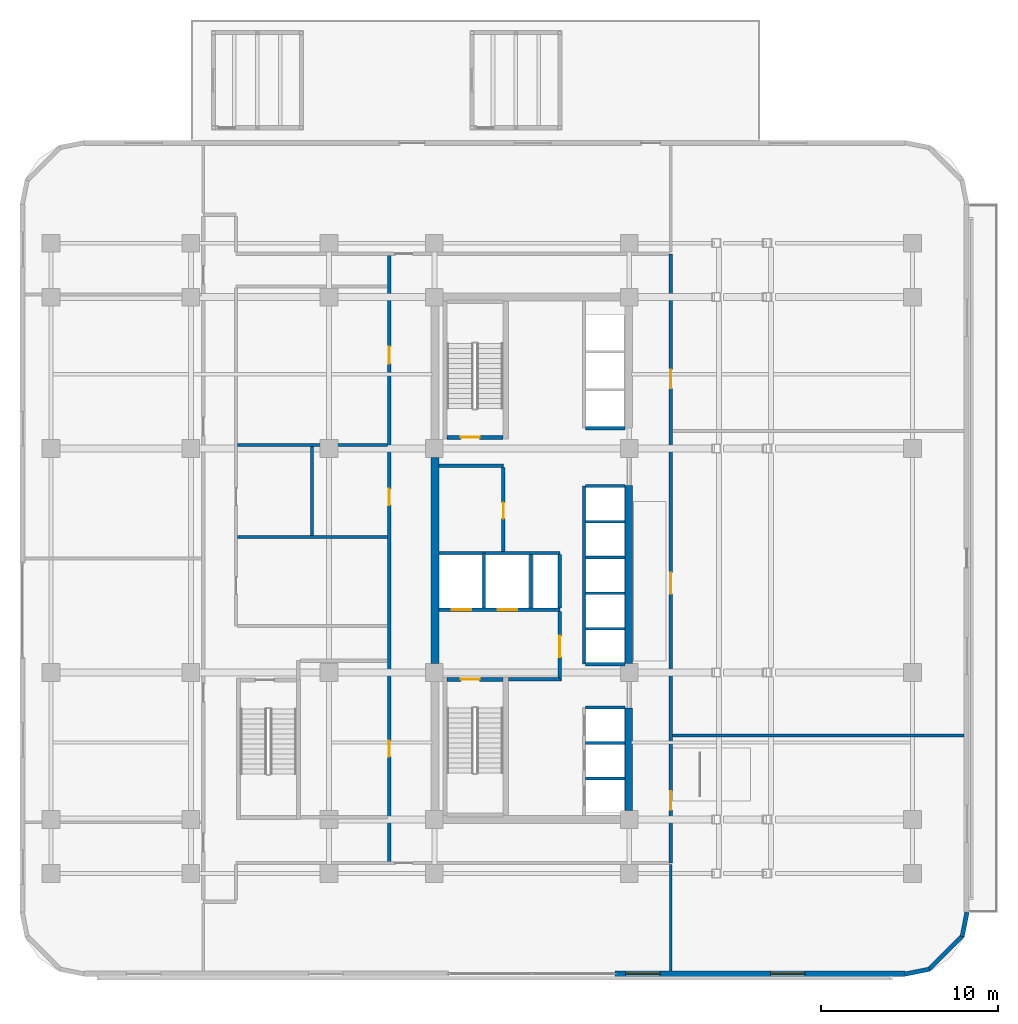
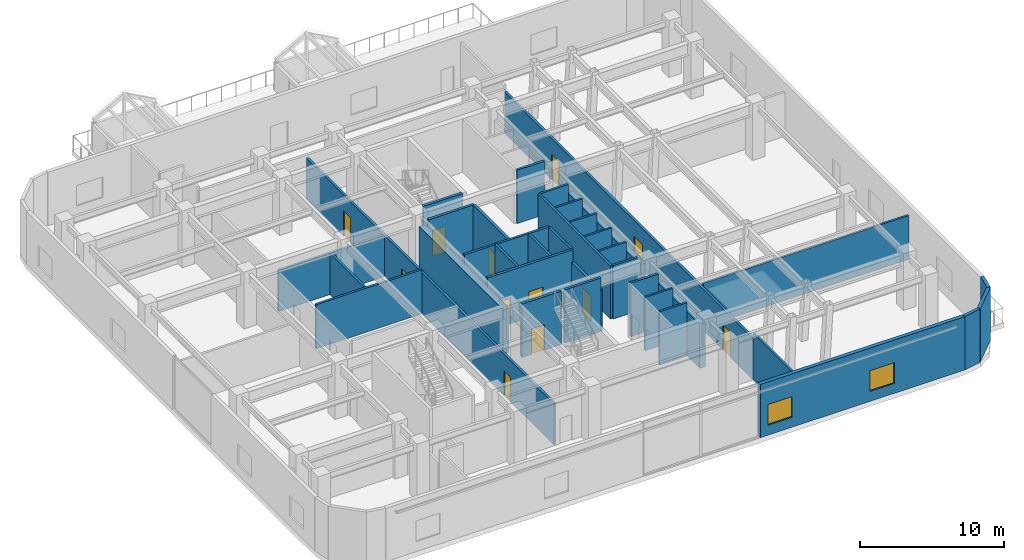
# One storey, part 9 of 18: 36 walls, 12 doors, 2 windows, 14 openings.
"""IFC4 building model written with IfcOpenShell, lengths in metres."""

import ifcopenshell
import ifcopenshell.guid

model = None  # the IFC model being written
_history = None  # IfcOwnerHistory: only IFC2X3 demands one
_inside = {}  # id of a spatial element -> (the spatial element, [elements in it])
_under = {}  # id of a project, library or spatial element -> (it, [spatial elements below it])
_declared = {}  # id of a project -> (the project, [libraries it declares])
_typed = {}  # id of a type object -> (the type object, [elements of that type])
_made_of = {}  # id of a material, layer set ... -> (it, [elements and type objects made of it])


def new_model(schema):
    """Start an empty IFC model of exactly this schema.

    Asked for "IFC4X3", IfcOpenShell would pick the latest addendum, in which some entities
    have other attributes; the version numbers below select the first issue.
    IFC2X3 requires an IfcOwnerHistory on every rooted entity: one is made here for all.
    """
    global model, _history
    if schema == "IFC4X3":
        model = ifcopenshell.file(schema_version=(4, 3, 0, 0))
    else:
        model = ifcopenshell.file(schema=schema)
    _inside.clear()
    _under.clear()
    _declared.clear()
    _typed.clear()
    _made_of.clear()
    _history = None
    if model.schema == "IFC2X3":
        org = make("IfcOrganization", Name="unknown")
        user = make(
            "IfcPersonAndOrganization",
            ThePerson=make("IfcPerson", FamilyName="unknown"),
            TheOrganization=org,
        )
        app = make(
            "IfcApplication",
            ApplicationDeveloper=org,
            Version="unknown",
            ApplicationFullName="unknown",
            ApplicationIdentifier="unknown",
        )
        _history = make(
            "IfcOwnerHistory",
            OwningUser=user,
            OwningApplication=app,
            ChangeAction="ADDED",
            CreationDate=0,
        )
    return model


def make(cls, **values):
    """One entity of the class cls with the attributes given. An attribute that is None is left unset."""
    return model.create_entity(
        cls, **{name: value for name, value in values.items() if value is not None}
    )


def rooted(cls, **values):
    """An entity with a GlobalId (a new one), such as an element, a storey or a relation."""
    return make(cls, GlobalId=ifcopenshell.guid.new(), OwnerHistory=_history, **values)


def si_unit(unit_type, name, prefix=None):
    """IfcSIUnit, for example si_unit("LENGTHUNIT", "METRE", prefix="MILLI")."""
    return make("IfcSIUnit", UnitType=unit_type, Prefix=prefix, Name=name)


def assignment(units):
    """IfcUnitAssignment: the units of a project."""
    return None if units is None else make("IfcUnitAssignment", Units=units)


def point(xyz):
    """IfcCartesianPoint."""
    return None if xyz is None else make("IfcCartesianPoint", Coordinates=xyz)


def direction(xyz):
    """IfcDirection."""
    return None if xyz is None else make("IfcDirection", DirectionRatios=xyz)


def frame(location, z_axis=None, x_axis=None):
    """IfcAxis2Placement3D, a coordinate frame: its origin and axes. An axis left out is left unset."""
    return make(
        "IfcAxis2Placement3D",
        Location=point(location),
        Axis=direction(z_axis),
        RefDirection=direction(x_axis),
    )


def frame_2d(location, x_axis=None):
    """IfcAxis2Placement2D, a coordinate frame in the plane: its origin and x axis."""
    return make(
        "IfcAxis2Placement2D", Location=point(location), RefDirection=direction(x_axis)
    )


def origin():
    """The frame at (0, 0, 0) with its axes left unset."""
    return frame((0.0, 0.0, 0.0))


def place(relative_to, where):
    """IfcLocalPlacement: puts the frame where relative to a parent placement (None: the world)."""
    return make(
        "IfcLocalPlacement", PlacementRelTo=relative_to, RelativePlacement=where
    )


def context(
    kind, dimensions, precision=None, world=None, true_north=None, identifier=None
):
    """IfcGeometricRepresentationContext, for example the 3D "Model" context."""
    return make(
        "IfcGeometricRepresentationContext",
        ContextIdentifier=identifier,
        ContextType=kind,
        CoordinateSpaceDimension=dimensions,
        Precision=precision,
        WorldCoordinateSystem=world,
        TrueNorth=true_north,
    )


def subcontext(parent, identifier, kind, view, scale=None):
    """IfcGeometricRepresentationSubContext, for example "Body" below "Model"."""
    return make(
        "IfcGeometricRepresentationSubContext",
        ContextIdentifier=identifier,
        ContextType=kind,
        ParentContext=parent,
        TargetScale=scale,
        TargetView=view,
    )


def project(units=None, contexts=None):
    """IfcProject with its units and contexts."""
    return rooted(
        "IfcProject",
        Name="project",
        RepresentationContexts=contexts,
        UnitsInContext=assignment(units),
    )


def spatial(cls, under=None, at=None, **own):
    """A site, building, storey or space (cls), placed at a placement, below another one or the project."""
    s = rooted(cls, ObjectPlacement=at, **own)
    if under is not None:
        _under.setdefault(under.id(), (under, []))[1].append(s)
    return s


def profile(cls, at=None, kind="AREA", **sizes):
    """A parametric profile (cls). Its sizes go by their IFC names, for example OverallWidth=200.0."""
    return make(cls, ProfileType=kind, Position=at, **sizes)


def rectangle(**sizes):
    """IfcRectangleProfileDef."""
    return profile("IfcRectangleProfileDef", **sizes)


def extrude(swept, where, along, depth):
    """IfcExtrudedAreaSolid: the profile swept, set in the frame where, extruded along a direction by depth."""
    return make(
        "IfcExtrudedAreaSolid",
        SweptArea=swept,
        Position=where,
        ExtrudedDirection=direction(along),
        Depth=depth,
    )


def shape(context_of_items, identifier, shape_type, items):
    """IfcShapeRepresentation: the items that make up one representation, for example the "Body"."""
    return make(
        "IfcShapeRepresentation",
        ContextOfItems=context_of_items,
        RepresentationIdentifier=identifier,
        RepresentationType=shape_type,
        Items=items,
    )


def material(Name=None, Category=None):
    """IfcMaterial."""
    return make("IfcMaterial", Name=Name, Category=Category)


def layer(
    of_material, thickness, ventilated=None, Name=None, Category=None, Priority=None
):
    """IfcMaterialLayer: one layer of a wall or slab, of a material (None: an air gap)."""
    return make(
        "IfcMaterialLayer",
        Material=of_material,
        LayerThickness=thickness,
        IsVentilated=ventilated,
        Name=Name,
        Category=Category,
        Priority=Priority,
    )


def layer_set(layers, Name=None):
    """IfcMaterialLayerSet."""
    return make("IfcMaterialLayerSet", MaterialLayers=layers, LayerSetName=Name)


def made_of(thing, what):
    """Note that an element or type object is made of a material, layer set ...; save() writes the relation."""
    if what is not None:
        _made_of.setdefault(what.id(), (what, []))[1].append(thing)
    return thing


def type_object(cls, material=None, **own):
    """A type object (cls), such as IfcWallType, which elements share."""
    return made_of(rooted(cls, **own), material)


def element(
    cls,
    number,
    at=None,
    inside=None,
    cuts=None,
    type_object=None,
    material=None,
    context=None,
    identifier="Body",
    shape_type=None,
    held_by="IfcProductDefinitionShape",
    body=None,
    shapes=None,
    **own,
):
    """One element of the class cls, such as IfcWall. Its Tag is "e" and its number.

    at: its placement. inside: the storey or other place that contains it. cuts: it is an
    opening in that element (IfcRelVoidsElement). A single representation is given by context,
    identifier, shape_type and body (its items); several are given by shapes. held_by: the class
    of the entity that holds the representations. save() writes the other relations.
    """
    e = rooted(cls, Tag="e%d" % number, ObjectPlacement=at, **own)
    if body is not None:
        shapes = [shape(context, identifier, shape_type, body)]
    if shapes is not None:
        e.Representation = make(held_by, Representations=shapes)
    if inside is not None:
        _inside.setdefault(inside.id(), (inside, []))[1].append(e)
    if cuts is not None:
        rooted(
            "IfcRelVoidsElement", RelatingBuildingElement=cuts, RelatedOpeningElement=e
        )
    if type_object is not None:
        _typed.setdefault(type_object.id(), (type_object, []))[1].append(e)
    return made_of(e, material)


def fill(opening, filler):
    """IfcRelFillsElement: the door or window that sits in an opening."""
    return rooted(
        "IfcRelFillsElement",
        RelatingOpeningElement=opening,
        RelatedBuildingElement=filler,
    )


def aggregate(whole, parts):
    """IfcRelAggregates: a whole, such as a stair, and the parts it consists of."""
    return rooted("IfcRelAggregates", RelatingObject=whole, RelatedObjects=parts)


def save(model, path):
    """Write the relations noted so far, then the file.

    IfcRelAggregates (storeys below a building ...), IfcRelContainedInSpatialStructure (elements
    in a storey), IfcRelDefinesByType, IfcRelAssociatesMaterial and IfcRelDeclares: one each for
    every whole, place, type object, material and project.
    """
    for whole, parts in _under.values():
        aggregate(whole, parts)
    for where, things in _inside.values():
        rooted(
            "IfcRelContainedInSpatialStructure",
            RelatedElements=things,
            RelatingStructure=where,
        )
    for kind, things in _typed.values():
        rooted("IfcRelDefinesByType", RelatedObjects=things, RelatingType=kind)
    for what, things in _made_of.values():
        rooted("IfcRelAssociatesMaterial", RelatedObjects=things, RelatingMaterial=what)
    for by, libraries in _declared.values():
        rooted("IfcRelDeclares", RelatingContext=by, RelatedDefinitions=libraries)
    model.write(path)


model = new_model("IFC4")

# Units and contexts
model_context = context("Model", 3, precision=1e-05, world=origin(), true_north=direction((0.0, 1.0)))
body_context = subcontext(model_context, "Body", "Model", "MODEL_VIEW")
ifc_project = project(units=[si_unit("LENGTHUNIT", "METRE"), si_unit("AREAUNIT", "SQUARE_METRE"), si_unit("VOLUMEUNIT", "CUBIC_METRE"), si_unit("PLANEANGLEUNIT", "RADIAN"), si_unit("MASSUNIT", "GRAM", prefix="KILO")], contexts=[model_context])

# Site, building, storey
site_placement = place(None, origin())
site = spatial("IfcSite", under=ifc_project, at=site_placement, CompositionType="ELEMENT")
building_placement = place(site_placement, origin())
building = spatial("IfcBuilding", under=site, at=building_placement, Name="Ochreholt Gables", CompositionType="ELEMENT")
storey_placement = place(building_placement, frame((0.0, 0.0, 4.800048828125)))
storey = spatial("IfcBuildingStorey", under=building, at=storey_placement, Name="L01", CompositionType="ELEMENT", Elevation=4.800048828125)

# Walls
ifc_material_1 = material(Name="Concrete 60 MPa", Category="concrete")
ifc_layer_1 = layer(ifc_material_1, 0.449951171875, Name="Concrete 60 MPa")
ifc_layer_set_1 = layer_set([ifc_layer_1], Name="Concrete 60 MPa")
wall_type_1 = type_object("IfcWallType", Name="WALL-CSW-450", PredefinedType="SHEAR", material=ifc_layer_set_1)
wall_1_placement = place(storey_placement, frame((24.22509765625, 18.050048828125, 0.0), z_axis=(0.0, 0.0, 1.0), x_axis=(0.0, 1.0, 0.0)))
element("IfcWall", 1, at=wall_1_placement, inside=storey, type_object=wall_type_1, Name="L01 Core West Shear Wall WM", PredefinedType="SHEAR", context=body_context, shape_type="SweptSolid", body=[
    extrude(rectangle(XDim=11.64990234375, YDim=0.449951171875, at=frame_2d((5.824951171875, 0.0))), origin(), (0.0, 0.0, 1.0), 3.75),
])
wall_2_placement = place(storey_placement, frame((35.175048828125, 9.75, 0.0), z_axis=(0.0, 0.0, 1.0), x_axis=(0.0, 1.0, 0.0)))
element("IfcWall", 2, at=wall_2_placement, inside=storey, type_object=wall_type_1, Name="L01 Core South-East Shear Wall", PredefinedType="SHEAR", context=body_context, shape_type="SweptSolid", body=[
    extrude(rectangle(XDim=5.800048828125, YDim=0.449951171875, at=frame_2d((2.89990234375, 0.0))), origin(), (0.0, 0.0, 1.0), 3.75),
])
wall_3_placement = place(storey_placement, frame((35.175048828125, 18.050048828125, 0.0), z_axis=(0.0, 0.0, 1.0), x_axis=(0.0, 1.0, 0.0)))
element("IfcWall", 3, at=wall_3_placement, inside=storey, type_object=wall_type_1, Name="L01 Core Central-East Shear Wall", PredefinedType="SHEAR", context=body_context, shape_type="SweptSolid", body=[
    extrude(rectangle(XDim=10.050048828125, YDim=0.449951171875, at=frame_2d((5.02490234375, 0.0))), origin(), (0.0, 0.0, 1.0), 3.75),
])

# Wall, openings, windows
ifc_material_2 = material(Name="Precast concrete 40 MPa", Category="concrete")
ifc_layer_2 = layer(ifc_material_2, 0.2900390625, Name="Precast concrete 40 MPa")
ifc_layer_set_2 = layer_set([ifc_layer_2], Name="Precast concrete 40 MPa")
wall_type_2 = type_object("IfcWallType", Name="WALL-EXT-290", PredefinedType="SOLIDWALL", material=ifc_layer_set_2)
wall_4_placement = place(storey_placement, frame((34.39990234375, 0.544921875, 0.0), z_axis=(0.0, 0.0, 1.0), x_axis=(1.0, 0.0, 0.0)))
wall_4 = element("IfcWall", 4, at=wall_4_placement, inside=storey, type_object=wall_type_2, Name="L01 South Facade Wall 2", PredefinedType="SOLIDWALL", context=body_context, shape_type="SweptSolid", body=[
    extrude(rectangle(XDim=16.380126953125, YDim=0.2900390625, at=frame_2d((8.18994140625, 0.0))), origin(), (0.0, 0.0, 1.0), 4.52001953125),
])
opening_1_placement = place(wall_4_placement, frame((0.60009765625, 0.0, 0.85009765625)))
opening_1 = element("IfcOpeningElement", 5, at=opening_1_placement, cuts=wall_4, Name="Opening WN-9", PredefinedType="OPENING", context=body_context, shape_type="SweptSolid", body=[
    extrude(rectangle(XDim=1.949951171875, YDim=1.75, at=frame_2d((0.97509765625, 0.875))), frame((0.0, 0.155029296875, 0.0), z_axis=(0.0, -1.0, 0.0), x_axis=(1.0, 0.0, 0.0)), (0.0, 0.0, 1.0), 0.31005859375),
])
opening_2_placement = place(wall_4_placement, frame((8.7900390625, 0.0, 0.85009765625)))
opening_2 = element("IfcOpeningElement", 6, at=opening_2_placement, cuts=wall_4, Name="Opening WN-9", PredefinedType="OPENING", context=body_context, shape_type="SweptSolid", body=[
    extrude(rectangle(XDim=1.949951171875, YDim=1.75, at=frame_2d((0.97509765625, 0.875))), frame((0.0, 0.155029296875, 0.0), z_axis=(0.0, -1.0, 0.0), x_axis=(1.0, 0.0, 0.0)), (0.0, 0.0, 1.0), 0.31005859375),
])
ifc_material_3 = material(Name="Triple-Glazed Thermally Broken Aluminium Window", Category="aluminium")
window_type = type_object("IfcWindowType", Name="WIN-CLN-1950", PartitioningType="SINGLE_PANEL", PredefinedType="WINDOW", material=ifc_material_3)
window_1_placement = place(opening_1_placement, origin())
window_1 = element("IfcWindow", 7, at=window_1_placement, inside=storey, type_object=window_type, Name="L01 Window W-EXT-S2-L01-1", OverallHeight=1.75, OverallWidth=1.949951171875, PartitioningType="SINGLE_PANEL", PredefinedType="WINDOW", context=body_context, shape_type="SweptSolid", body=[
    extrude(rectangle(XDim=1.949951171875, YDim=1.75, at=frame_2d((0.97509765625, 0.875))), frame((0.0, 0.030029296875, 0.0), z_axis=(0.0, -1.0, 0.0), x_axis=(1.0, 0.0, 0.0)), (0.0, 0.0, 1.0), 0.06005859375),
])
fill(opening_1, window_1)
window_2_placement = place(opening_2_placement, origin())
window_2 = element("IfcWindow", 8, at=window_2_placement, inside=storey, type_object=window_type, Name="L01 Window W-EXT-S2-L01-2", OverallHeight=1.75, OverallWidth=1.949951171875, PartitioningType="SINGLE_PANEL", PredefinedType="WINDOW", context=body_context, shape_type="SweptSolid", body=[
    extrude(rectangle(XDim=1.949951171875, YDim=1.75, at=frame_2d((0.97509765625, 0.875))), frame((0.0, 0.030029296875, 0.0), z_axis=(0.0, -1.0, 0.0), x_axis=(1.0, 0.0, 0.0)), (0.0, 0.0, 1.0), 0.06005859375),
])
fill(opening_2, window_2)

# Walls
ifc_layer_3 = layer(ifc_material_2, 0.25, Name="Precast concrete 40 MPa")
ifc_layer_set_3 = layer_set([ifc_layer_3], Name="Precast concrete 40 MPa")
wall_type_3 = type_object("IfcWallType", Name="WALL-EXT-CNR", PredefinedType="SOLIDWALL", material=ifc_layer_set_3)
wall_5_placement = place(storey_placement, frame((50.783447265625, 0.524169921875, 0.0), z_axis=(0.0, 0.0, 1.0), x_axis=(0.980809899341, 0.19496651342, 0.0)))
element("IfcWall", 9, at=wall_5_placement, inside=storey, type_object=wall_type_3, Name="L01 Rounded Corner Wall SE-1", PredefinedType="SOLIDWALL", context=body_context, shape_type="SweptSolid", body=[
    extrude(rectangle(XDim=1.388671875, YDim=0.25, at=frame_2d((0.6943359375, 0.0))), origin(), (0.0, 0.0, 1.0), 4.52001953125),
])
wall_6_placement = place(storey_placement, frame((52.094970703125, 0.76806640625, 0.0), z_axis=(0.0, 0.0, 1.0), x_axis=(0.707106781187, 0.707106781187, 0.0)))
element("IfcWall", 10, at=wall_6_placement, inside=storey, type_object=wall_type_3, Name="L01 Rounded Corner Wall SE-2", PredefinedType="SOLIDWALL", context=body_context, shape_type="SweptSolid", body=[
    extrude(rectangle(XDim=2.7392578125, YDim=0.25, at=frame_2d((1.36962890625, 0.0))), origin(), (0.0, 0.0, 1.0), 4.52001953125),
])
wall_7_placement = place(storey_placement, frame((54.0048828125, 2.654541015625, 0.0), z_axis=(0.0, 0.0, 1.0), x_axis=(0.195135625965, 0.9807762678, 0.0)))
element("IfcWall", 11, at=wall_7_placement, inside=storey, type_object=wall_type_3, Name="L01 Rounded Corner Wall SE-3", PredefinedType="SOLIDWALL", context=body_context, shape_type="SweptSolid", body=[
    extrude(rectangle(XDim=1.388671875, YDim=0.25, at=frame_2d((0.6943359375, 0.0))), origin(), (0.0, 0.0, 1.0), 4.52001953125),
])

# Wall, openings, doors
ifc_material_4 = material(Name="Concrete 40 MPa", Category="concrete")
ifc_layer_4 = layer(ifc_material_4, 0.199951171875, Name="Concrete 40 MPa")
ifc_layer_set_4 = layer_set([ifc_layer_4], Name="Concrete 40 MPa")
wall_type_4 = type_object("IfcWallType", Name="WALL-INT-CF200", PredefinedType="STANDARD", material=ifc_layer_set_4)
wall_8_placement = place(storey_placement, frame((24.449951171875, 21.090087890625, 0.0), z_axis=(0.0, 0.0, 1.0), x_axis=(1.0, 0.0, 0.0)))
wall_8 = element("IfcWall", 12, at=wall_8_placement, inside=storey, type_object=wall_type_4, Name="L01 Interior Wall WI-FFN-L01", PredefinedType="STANDARD", context=body_context, shape_type="SweptSolid", body=[
    extrude(rectangle(XDim=6.830078125, YDim=0.199951171875, at=frame_2d((3.4150390625, 0.0))), origin(), (0.0, 0.0, 1.0), 4.52001953125),
])
opening_3_placement = place(wall_8_placement, frame((0.719970703125, 0.0, 0.0)))
opening_3 = element("IfcOpeningElement", 13, at=opening_3_placement, cuts=wall_8, Name="Opening LD-FF", PredefinedType="OPENING", context=body_context, shape_type="SweptSolid", body=[
    extrude(rectangle(XDim=1.10009765625, YDim=2.199951171875, at=frame_2d((0.550048828125, 1.10009765625))), frame((0.0, 0.10986328125, 0.0), z_axis=(0.0, -1.0, 0.0), x_axis=(1.0, 0.0, 0.0)), (0.0, 0.0, 1.0), 0.219970703125),
])
opening_4_placement = place(wall_8_placement, frame((3.320068359375, 0.0, 0.0)))
opening_4 = element("IfcOpeningElement", 14, at=opening_4_placement, cuts=wall_8, Name="Opening LD-FF", PredefinedType="OPENING", context=body_context, shape_type="SweptSolid", body=[
    extrude(rectangle(XDim=1.10009765625, YDim=2.199951171875, at=frame_2d((0.550048828125, 1.10009765625))), frame((0.0, 0.10986328125, 0.0), z_axis=(0.0, -1.0, 0.0), x_axis=(1.0, 0.0, 0.0)), (0.0, 0.0, 1.0), 0.219970703125),
])
ifc_material_5 = material(Name="Stainless Steel", Category="steel")
door_type_1 = type_object("IfcDoorType", Name="DR-LFT-FF1100", OperationType="NOTDEFINED", PredefinedType="DOOR", material=ifc_material_5)
door_1_placement = place(opening_3_placement, origin())
door_1 = element("IfcDoor", 15, at=door_1_placement, inside=storey, type_object=door_type_1, Name="L01 Door LD-FF1-L01", OperationType="SLIDING_TO_LEFT", OverallHeight=2.199951171875, OverallWidth=1.10009765625, PredefinedType="DOOR", context=body_context, shape_type="SweptSolid", body=[
    extrude(rectangle(XDim=1.10009765625, YDim=2.199951171875, at=frame_2d((0.550048828125, 1.10009765625))), frame((0.0, 0.02490234375, 0.0), z_axis=(0.0, -1.0, 0.0), x_axis=(1.0, 0.0, 0.0)), (0.0, 0.0, 1.0), 0.050048828125),
])
fill(opening_3, door_1)
door_2_placement = place(opening_4_placement, origin())
door_2 = element("IfcDoor", 16, at=door_2_placement, inside=storey, type_object=door_type_1, Name="L01 Door LD-FF2-L01", OperationType="SLIDING_TO_LEFT", OverallHeight=2.199951171875, OverallWidth=1.10009765625, PredefinedType="DOOR", context=body_context, shape_type="SweptSolid", body=[
    extrude(rectangle(XDim=1.10009765625, YDim=2.199951171875, at=frame_2d((0.550048828125, 1.10009765625))), frame((0.0, 0.02490234375, 0.0), z_axis=(0.0, -1.0, 0.0), x_axis=(1.0, 0.0, 0.0)), (0.0, 0.0, 1.0), 0.050048828125),
])
fill(opening_4, door_2)

# Wall
wall_9_placement = place(storey_placement, frame((28.3798828125, 17.169921875, 0.0), z_axis=(0.0, 0.0, 1.0), x_axis=(1.0, 0.0, 0.0)))
element("IfcWall", 17, at=wall_9_placement, inside=storey, type_object=wall_type_4, Name="L01 Interior Wall WI-FFS-L01", PredefinedType="STANDARD", context=body_context, shape_type="SweptSolid", body=[
    extrude(rectangle(XDim=2.900146484375, YDim=0.199951171875, at=frame_2d((1.4501953125, 0.0))), origin(), (0.0, 0.0, 1.0), 4.52001953125),
])

# Wall, opening, door
wall_10_placement = place(storey_placement, frame((31.280029296875, 17.070068359375, 0.0), z_axis=(0.0, 0.0, 1.0), x_axis=(0.0, 1.0, 0.0)))
wall_10 = element("IfcWall", 18, at=wall_10_placement, inside=storey, type_object=wall_type_4, Name="L01 Interior Wall WI-FFE-L01", PredefinedType="STANDARD", context=body_context, shape_type="SweptSolid", body=[
    extrude(rectangle(XDim=3.919921875, YDim=0.199951171875, at=frame_2d((1.9599609375, 0.0))), origin(), (0.0, 0.0, 1.0), 3.501953125),
])
opening_5_placement = place(wall_10_placement, frame((1.35009765625, 0.0, 0.0)))
opening_5 = element("IfcOpeningElement", 19, at=opening_5_placement, cuts=wall_10, Name="Opening D-FFL", PredefinedType="OPENING", context=body_context, shape_type="SweptSolid", body=[
    extrude(rectangle(XDim=1.199951171875, YDim=2.14990234375, at=frame_2d((0.60009765625, 1.074951171875))), frame((0.0, 0.10986328125, 0.0), z_axis=(0.0, -1.0, 0.0), x_axis=(1.0, 0.0, 0.0)), (0.0, 0.0, 1.0), 0.219970703125),
])
ifc_material_6 = material(Name="Hollow Metal Steel", Category="steel")
door_type_2 = type_object("IfcDoorType", Name="DR-INT-FFL1200", OperationType="NOTDEFINED", PredefinedType="DOOR", material=ifc_material_6)
door_3_placement = place(opening_5_placement, origin())
door_3 = element("IfcDoor", 20, at=door_3_placement, inside=storey, type_object=door_type_2, Name="L01 Door D-FFL-L01", OperationType="SINGLE_SWING_LEFT", OverallHeight=2.14990234375, OverallWidth=1.199951171875, PredefinedType="DOOR", context=body_context, shape_type="SweptSolid", body=[
    extrude(rectangle(XDim=1.199951171875, YDim=2.14990234375, at=frame_2d((0.60009765625, 1.074951171875))), frame((0.0, 0.02490234375, 0.0), z_axis=(0.0, -1.0, 0.0), x_axis=(1.0, 0.0, 0.0)), (0.0, 0.0, 1.0), 0.050048828125),
])
fill(opening_5, door_3)

# Wall
wall_11_placement = place(storey_placement, frame((24.449951171875, 29.239990234375, 0.0), z_axis=(0.0, 0.0, 1.0), x_axis=(1.0, 0.0, 0.0)))
element("IfcWall", 21, at=wall_11_placement, inside=storey, type_object=wall_type_4, Name="L01 Interior Wall WI-SRVN-L01", PredefinedType="STANDARD", context=body_context, shape_type="SweptSolid", body=[
    extrude(rectangle(XDim=3.650146484375, YDim=0.199951171875, at=frame_2d((1.8251953125, 0.0))), origin(), (0.0, 0.0, 1.0), 4.52001953125),
])

# Wall, opening, door
wall_12_placement = place(storey_placement, frame((28.10009765625, 24.389892578125, 0.0), z_axis=(0.0, 0.0, 1.0), x_axis=(0.0, 1.0, 0.0)))
wall_12 = element("IfcWall", 22, at=wall_12_placement, inside=storey, type_object=wall_type_4, Name="L01 Interior Wall WI-SRVE-L01", PredefinedType="STANDARD", context=body_context, shape_type="SweptSolid", body=[
    extrude(rectangle(XDim=4.75, YDim=0.199951171875, at=frame_2d((2.375, 0.0))), origin(), (0.0, 0.0, 1.0), 4.52001953125),
])
opening_6_placement = place(wall_12_placement, frame((1.860107421875, 0.0, 0.0)))
opening_6 = element("IfcOpeningElement", 23, at=opening_6_placement, cuts=wall_12, Name="Opening D-SV1", PredefinedType="OPENING", context=body_context, shape_type="SweptSolid", body=[
    extrude(rectangle(XDim=0.89990234375, YDim=2.10009765625, at=frame_2d((0.449951171875, 1.050048828125))), frame((0.0, 0.10986328125, 0.0), z_axis=(0.0, -1.0, 0.0), x_axis=(1.0, 0.0, 0.0)), (0.0, 0.0, 1.0), 0.219970703125),
])
door_type_3 = type_object("IfcDoorType", Name="DR-INT-SRV900", OperationType="NOTDEFINED", PredefinedType="DOOR", material=ifc_material_6)
door_4_placement = place(opening_6_placement, origin())
door_4 = element("IfcDoor", 24, at=door_4_placement, inside=storey, type_object=door_type_3, Name="L01 Door D-SRV1-L01", OperationType="SINGLE_SWING_LEFT", OverallHeight=2.10009765625, OverallWidth=0.89990234375, PredefinedType="DOOR", context=body_context, shape_type="SweptSolid", body=[
    extrude(rectangle(XDim=0.89990234375, YDim=2.10009765625, at=frame_2d((0.449951171875, 1.050048828125))), frame((0.0, 0.02490234375, 0.0), z_axis=(0.0, -1.0, 0.0), x_axis=(1.0, 0.0, 0.0)), (0.0, 0.0, 1.0), 0.050048828125),
])
fill(opening_6, door_4)

# Wall, openings, doors
ifc_material_7 = material(Name="Fire-Rated Gypsum Acoustic Partition", Category="gypsum")
ifc_layer_5 = layer(ifc_material_7, 0.18994140625, Name="Fire-Rated Gypsum Acoustic Partition")
ifc_layer_set_5 = layer_set([ifc_layer_5], Name="Fire-Rated Gypsum Acoustic Partition")
wall_type_5 = type_object("IfcWallType", Name="WALL-INT-CR190", PredefinedType="STANDARD", material=ifc_layer_set_5)
wall_13_placement = place(storey_placement, frame((21.64990234375, 6.800048828125, 0.0), z_axis=(0.0, 0.0, 1.0), x_axis=(0.0, 1.0, 0.0)))
wall_13 = element("IfcWall", 25, at=wall_13_placement, inside=storey, type_object=wall_type_5, Name="L01 Interior Wall WI-CLCW-L01", PredefinedType="STANDARD", context=body_context, shape_type="SweptSolid", body=[
    extrude(rectangle(XDim=34.39990234375, YDim=0.18994140625, at=frame_2d((17.199951171875, 0.0))), origin(), (0.0, 0.0, 1.0), 3.501953125),
])
opening_7_placement = place(wall_13_placement, frame((20.199951171875, 0.0, 0.0)))
opening_7 = element("IfcOpeningElement", 26, at=opening_7_placement, cuts=wall_13, Name="Opening D-WC1", PredefinedType="OPENING", context=body_context, shape_type="SweptSolid", body=[
    extrude(rectangle(XDim=0.919921875, YDim=2.139892578125, at=frame_2d((0.4599609375, 1.06982421875))), frame((0.0, 0.10498046875, 0.0), z_axis=(0.0, -1.0, 0.0), x_axis=(1.0, 0.0, 0.0)), (0.0, 0.0, 1.0), 0.2099609375),
])
opening_8_placement = place(wall_13_placement, frame((28.199951171875, 0.0, 0.0)))
opening_8 = element("IfcOpeningElement", 27, at=opening_8_placement, cuts=wall_13, Name="Opening D-GN1", PredefinedType="OPENING", context=body_context, shape_type="SweptSolid", body=[
    extrude(rectangle(XDim=0.949951171875, YDim=2.14990234375, at=frame_2d((0.47509765625, 1.074951171875))), frame((0.0, 0.10498046875, 0.0), z_axis=(0.0, -1.0, 0.0), x_axis=(1.0, 0.0, 0.0)), (0.0, 0.0, 1.0), 0.2099609375),
])
opening_9_placement = place(wall_13_placement, frame((6.0, 0.0, 0.0)))
opening_9 = element("IfcOpeningElement", 28, at=opening_9_placement, cuts=wall_13, Name="Opening D-SV1", PredefinedType="OPENING", context=body_context, shape_type="SweptSolid", body=[
    extrude(rectangle(XDim=0.89990234375, YDim=2.10009765625, at=frame_2d((0.449951171875, 1.050048828125))), frame((0.0, 0.10498046875, 0.0), z_axis=(0.0, -1.0, 0.0), x_axis=(1.0, 0.0, 0.0)), (0.0, 0.0, 1.0), 0.2099609375),
])
ifc_material_8 = material(Name="Engineered Oak Timber", Category="wood")
door_type_4 = type_object("IfcDoorType", Name="DR-INT-GEN950", OperationType="NOTDEFINED", PredefinedType="DOOR", material=ifc_material_8)
door_5_placement = place(opening_8_placement, origin())
door_5 = element("IfcDoor", 29, at=door_5_placement, inside=storey, type_object=door_type_4, Name="L01 Door D-CLMN2-L01", OperationType="SINGLE_SWING_RIGHT", OverallHeight=2.14990234375, OverallWidth=0.949951171875, PredefinedType="DOOR", context=body_context, shape_type="SweptSolid", body=[
    extrude(rectangle(XDim=0.949951171875, YDim=2.14990234375, at=frame_2d((0.47509765625, 1.074951171875))), frame((0.0, 0.02490234375, 0.0), z_axis=(0.0, -1.0, 0.0), x_axis=(1.0, 0.0, 0.0)), (0.0, 0.0, 1.0), 0.050048828125),
])
fill(opening_8, door_5)
door_6_placement = place(opening_9_placement, origin())
door_6 = element("IfcDoor", 30, at=door_6_placement, inside=storey, type_object=door_type_3, Name="L01 Door D-CLMRS-L01", OperationType="SINGLE_SWING_LEFT", OverallHeight=2.10009765625, OverallWidth=0.89990234375, PredefinedType="DOOR", context=body_context, shape_type="SweptSolid", body=[
    extrude(rectangle(XDim=0.89990234375, YDim=2.10009765625, at=frame_2d((0.449951171875, 1.050048828125))), frame((0.0, 0.02490234375, 0.0), z_axis=(0.0, -1.0, 0.0), x_axis=(1.0, 0.0, 0.0)), (0.0, 0.0, 1.0), 0.050048828125),
])
fill(opening_9, door_6)
door_type_5 = type_object("IfcDoorType", Name="DR-INT-WC920", OperationType="NOTDEFINED", PredefinedType="DOOR", material=ifc_material_8)
door_7_placement = place(opening_7_placement, origin())
door_7 = element("IfcDoor", 31, at=door_7_placement, inside=storey, type_object=door_type_5, Name="L01 Door D-CLMWC2-L01", OperationType="SINGLE_SWING_LEFT", OverallHeight=2.139892578125, OverallWidth=0.919921875, PredefinedType="DOOR", context=body_context, shape_type="SweptSolid", body=[
    extrude(rectangle(XDim=0.919921875, YDim=2.139892578125, at=frame_2d((0.4599609375, 1.06982421875))), frame((0.0, 0.02490234375, 0.0), z_axis=(0.0, -1.0, 0.0), x_axis=(1.0, 0.0, 0.0)), (0.0, 0.0, 1.0), 0.050048828125),
])
fill(opening_7, door_7)

wall_14_placement = place(storey_placement, frame((37.550048828125, 6.800048828125, 0.0), z_axis=(0.0, 0.0, 1.0), x_axis=(0.0, 1.0, 0.0)))
wall_14 = element("IfcWall", 32, at=wall_14_placement, inside=storey, type_object=wall_type_5, Name="L01 Interior Wall WI-CLCE-L01", PredefinedType="STANDARD", context=body_context, shape_type="SweptSolid", body=[
    extrude(rectangle(XDim=34.39990234375, YDim=0.18994140625, at=frame_2d((17.199951171875, 0.0))), origin(), (0.0, 0.0, 1.0), 3.501953125),
])
opening_10_placement = place(wall_14_placement, frame((3.0, 0.0, 0.0)))
opening_10 = element("IfcOpeningElement", 33, at=opening_10_placement, cuts=wall_14, Name="Opening D-CL1", PredefinedType="OPENING", context=body_context, shape_type="SweptSolid", body=[
    extrude(rectangle(XDim=1.050048828125, YDim=2.14990234375, at=frame_2d((0.52490234375, 1.074951171875))), frame((0.0, 0.10498046875, 0.0), z_axis=(0.0, -1.0, 0.0), x_axis=(1.0, 0.0, 0.0)), (0.0, 0.0, 1.0), 0.2099609375),
])
opening_11_placement = place(wall_14_placement, frame((15.199951171875, 0.0, 0.0)))
opening_11 = element("IfcOpeningElement", 34, at=opening_11_placement, cuts=wall_14, Name="Opening D-CL2", PredefinedType="OPENING", context=body_context, shape_type="SweptSolid", body=[
    extrude(rectangle(XDim=1.199951171875, YDim=2.14990234375, at=frame_2d((0.60009765625, 1.074951171875))), frame((0.0, 0.10498046875, 0.0), z_axis=(0.0, -1.0, 0.0), x_axis=(1.0, 0.0, 0.0)), (0.0, 0.0, 1.0), 0.2099609375),
])
opening_12_placement = place(wall_14_placement, frame((26.800048828125, 0.0, 0.0)))
opening_12 = element("IfcOpeningElement", 35, at=opening_12_placement, cuts=wall_14, Name="Opening D-CL1", PredefinedType="OPENING", context=body_context, shape_type="SweptSolid", body=[
    extrude(rectangle(XDim=1.050048828125, YDim=2.14990234375, at=frame_2d((0.52490234375, 1.074951171875))), frame((0.0, 0.10498046875, 0.0), z_axis=(0.0, -1.0, 0.0), x_axis=(1.0, 0.0, 0.0)), (0.0, 0.0, 1.0), 0.2099609375),
])
door_type_6 = type_object("IfcDoorType", Name="DR-INT-CLN1050", OperationType="NOTDEFINED", PredefinedType="DOOR", material=ifc_material_8)
door_8_placement = place(opening_10_placement, origin())
door_8 = element("IfcDoor", 36, at=door_8_placement, inside=storey, type_object=door_type_6, Name="L01 Door D-CLE1-L01", OperationType="SINGLE_SWING_LEFT", OverallHeight=2.14990234375, OverallWidth=1.050048828125, PredefinedType="DOOR", context=body_context, shape_type="SweptSolid", body=[
    extrude(rectangle(XDim=1.050048828125, YDim=2.14990234375, at=frame_2d((0.52490234375, 1.074951171875))), frame((0.0, 0.02490234375, 0.0), z_axis=(0.0, -1.0, 0.0), x_axis=(1.0, 0.0, 0.0)), (0.0, 0.0, 1.0), 0.050048828125),
])
fill(opening_10, door_8)
door_9_placement = place(opening_12_placement, origin())
door_9 = element("IfcDoor", 37, at=door_9_placement, inside=storey, type_object=door_type_6, Name="L01 Door D-CLE3-L01", OperationType="SINGLE_SWING_LEFT", OverallHeight=2.14990234375, OverallWidth=1.050048828125, PredefinedType="DOOR", context=body_context, shape_type="SweptSolid", body=[
    extrude(rectangle(XDim=1.050048828125, YDim=2.14990234375, at=frame_2d((0.52490234375, 1.074951171875))), frame((0.0, 0.02490234375, 0.0), z_axis=(0.0, -1.0, 0.0), x_axis=(1.0, 0.0, 0.0)), (0.0, 0.0, 1.0), 0.050048828125),
])
fill(opening_12, door_9)
door_type_7 = type_object("IfcDoorType", Name="DR-INT-CLN1200", OperationType="NOTDEFINED", PredefinedType="DOOR", material=ifc_material_8)
door_10_placement = place(opening_11_placement, origin())
door_10 = element("IfcDoor", 38, at=door_10_placement, inside=storey, type_object=door_type_7, Name="L01 Door D-CLE2-L01", OperationType="SINGLE_SWING_RIGHT", OverallHeight=2.14990234375, OverallWidth=1.199951171875, PredefinedType="DOOR", context=body_context, shape_type="SweptSolid", body=[
    extrude(rectangle(XDim=1.199951171875, YDim=2.14990234375, at=frame_2d((0.60009765625, 1.074951171875))), frame((0.0, 0.02490234375, 0.0), z_axis=(0.0, -1.0, 0.0), x_axis=(1.0, 0.0, 0.0)), (0.0, 0.0, 1.0), 0.050048828125),
])
fill(opening_11, door_10)

# Walls
ifc_material_9 = material(Name="Moisture-Resistant Plumbing Chase Wall", Category="gypsum")
ifc_layer_6 = layer(ifc_material_9, 0.175048828125, Name="Moisture-Resistant Plumbing Chase Wall")
ifc_layer_set_6 = layer_set([ifc_layer_6], Name="Moisture-Resistant Plumbing Chase Wall")
wall_type_6 = type_object("IfcWallType", Name="WALL-INT-PL175", PredefinedType="PLUMBINGWALL", material=ifc_layer_set_6)
wall_15_placement = place(storey_placement, frame((13.094970703125, 25.199951171875, 0.0), z_axis=(0.0, 0.0, 1.0), x_axis=(1.0, 0.0, 0.0)))
element("IfcWall", 39, at=wall_15_placement, inside=storey, type_object=wall_type_6, Name="L01 Interior Wall WI-CLMW1-L01", PredefinedType="PLUMBINGWALL", context=body_context, shape_type="SweptSolid", body=[
    extrude(rectangle(XDim=8.4599609375, YDim=0.175048828125, at=frame_2d((4.22998046875, 0.0))), origin(), (0.0, 0.0, 1.0), 3.73193359375),
])
wall_16_placement = place(storey_placement, frame((13.094970703125, 30.39990234375, 0.0), z_axis=(0.0, 0.0, 1.0), x_axis=(1.0, 0.0, 0.0)))
element("IfcWall", 40, at=wall_16_placement, inside=storey, type_object=wall_type_6, Name="L01 Interior Wall WI-CLMW2-L01", PredefinedType="PLUMBINGWALL", context=body_context, shape_type="SweptSolid", body=[
    extrude(rectangle(XDim=8.4599609375, YDim=0.175048828125, at=frame_2d((4.22998046875, 0.0))), origin(), (0.0, 0.0, 1.0), 3.501953125),
])
wall_17_placement = place(storey_placement, frame((17.300048828125, 25.28759765625, 0.0), z_axis=(0.0, 0.0, 1.0), x_axis=(0.0, 1.0, 0.0)))
element("IfcWall", 41, at=wall_17_placement, inside=storey, type_object=wall_type_6, Name="L01 Interior Wall WI-CLMW3-L01", PredefinedType="PLUMBINGWALL", context=body_context, shape_type="SweptSolid", body=[
    extrude(rectangle(XDim=5.02490234375, YDim=0.175048828125, at=frame_2d((2.512451171875, 0.0))), origin(), (0.0, 0.0, 1.0), 3.501953125),
])
ifc_material_10 = material(Name="Gypsum Acoustic Stud Partition", Category="gypsum")
ifc_layer_7 = layer(ifc_material_10, 0.159912109375, Name="Gypsum Acoustic Stud Partition")
ifc_layer_set_7 = layer_set([ifc_layer_7], Name="Gypsum Acoustic Stud Partition")
wall_type_7 = type_object("IfcWallType", Name="WALL-INT-PT160", PredefinedType="PARTITIONING", material=ifc_layer_set_7)
wall_18_placement = place(storey_placement, frame((37.550048828125, 0.68994140625, 0.0), z_axis=(0.0, 0.0, 1.0), x_axis=(0.0, 1.0, 0.0)))
element("IfcWall", 42, at=wall_18_placement, inside=storey, type_object=wall_type_7, Name="L01 Interior Wall WI-CLCES-L01", PredefinedType="PARTITIONING", context=body_context, shape_type="SweptSolid", body=[
    extrude(rectangle(XDim=6.01513671875, YDim=0.159912109375, at=frame_2d((3.007568359375, 0.0))), origin(), (0.0, 0.0, 1.0), 3.968994140625),
])
wall_19_placement = place(storey_placement, frame((37.64501953125, 14.0, 0.0), z_axis=(0.0, 0.0, 1.0), x_axis=(1.0, 0.0, 0.0)))
element("IfcWall", 43, at=wall_19_placement, inside=storey, type_object=wall_type_7, Name="L01 Interior Wall WI-CLE1-L01", PredefinedType="PARTITIONING", context=body_context, shape_type="SweptSolid", body=[
    extrude(rectangle(XDim=16.465087890625, YDim=0.159912109375, at=frame_2d((8.232421875, 0.0))), origin(), (0.0, 0.0, 1.0), 3.73193359375),
])
ifc_material_11 = material(Name="Gypsum Shaftliner and Steel Stud", Category="steel")
ifc_layer_8 = layer(ifc_material_11, 0.14990234375, Name="Gypsum Shaftliner and Steel Stud")
ifc_layer_set_8 = layer_set([ifc_layer_8], Name="Gypsum Shaftliner and Steel Stud")
wall_type_8 = type_object("IfcWallType", Name="WALL-INT-SH150", PredefinedType="STANDARD", material=ifc_layer_set_8)
for number, where, z_axis, x_axis, name in (
    (44, (32.739990234375, 11.570068359375, 0.0), (0.0, 0.0, 1.0), (1.0, 0.0, 0.0), "L01 Interior Wall WI-LFL-D1-L01"),
    (45, (32.739990234375, 13.570068359375, 0.0), (0.0, 0.0, 1.0), (1.0, 0.0, 0.0), "L01 Interior Wall WI-LFL-D2-L01"),
    (46, (32.739990234375, 20.02001953125, 0.0), (0.0, 0.0, 1.0), (1.0, 0.0, 0.0), "L01 Interior Wall WI-LFHE-DH1-L01"),
    (47, (32.739990234375, 22.02001953125, 0.0), (0.0, 0.0, 1.0), (1.0, 0.0, 0.0), "L01 Interior Wall WI-LFHE-DH2-L01"),
    (48, (32.739990234375, 24.050048828125, 0.0), (0.0, 0.0, 1.0), (1.0, 0.0, 0.0), "L01 Interior Wall WI-LFHE-DHE-L01"),
    (49, (32.739990234375, 26.070068359375, 0.0), (0.0, 0.0, 1.0), (1.0, 0.0, 0.0), "L01 Interior Wall WI-LFHE-DEX1-L01"),
):
    element("IfcWall", number, at=place(storey_placement, frame(where, z_axis=z_axis, x_axis=x_axis)), inside=storey, type_object=wall_type_8, Name=name, PredefinedType="STANDARD", context=body_context, shape_type="SweptSolid", body=[
        extrude(rectangle(XDim=2.2099609375, YDim=0.14990234375, at=frame_2d((1.10498046875, 0.0))), origin(), (0.0, 0.0, 1.0), 4.52001953125),
    ])
ifc_layer_9 = layer(ifc_material_11, 0.179931640625, Name="Gypsum Shaftliner and Steel Stud")
ifc_layer_set_9 = layer_set([ifc_layer_9], Name="Gypsum Shaftliner and Steel Stud")
wall_type_9 = type_object("IfcWallType", Name="WALL-INT-SH180", PredefinedType="STANDARD", material=ifc_layer_set_9)
wall_20_placement = place(storey_placement, frame((27.0, 21.18994140625, 0.0), z_axis=(0.0, 0.0, 1.0), x_axis=(0.0, 1.0, 0.0)))
element("IfcWall", 50, at=wall_20_placement, inside=storey, type_object=wall_type_9, Name="L01 Interior Wall WI-FFDIV-L01", PredefinedType="STANDARD", context=body_context, shape_type="SweptSolid", body=[
    extrude(rectangle(XDim=3.110107421875, YDim=0.179931640625, at=frame_2d((1.55517578125, 0.0))), origin(), (0.0, 0.0, 1.0), 4.52001953125),
])
wall_21_placement = place(storey_placement, frame((24.449951171875, 24.300048828125, 0.0), z_axis=(0.0, 0.0, 1.0), x_axis=(1.0, 0.0, 0.0)))
element("IfcWall", 51, at=wall_21_placement, inside=storey, type_object=wall_type_9, Name="L01 Interior Wall WI-FFBK-L01", PredefinedType="STANDARD", context=body_context, shape_type="SweptSolid", body=[
    extrude(rectangle(XDim=6.830078125, YDim=0.179931640625, at=frame_2d((3.4150390625, 0.0))), origin(), (0.0, 0.0, 1.0), 4.52001953125),
])
for number, where, z_axis, x_axis, name in (
    (52, (29.64990234375, 21.18994140625, 0.0), (0.0, 0.0, 1.0), (0.0, 1.0, 0.0), "L01 Interior Wall WI-FFSH-L01"),
    (53, (31.280029296875, 21.18994140625, 0.0), (0.0, 0.0, 1.0), (0.0, 1.0, 0.0), "L01 Interior Wall WI-RSE-L01"),
):
    element("IfcWall", number, at=place(storey_placement, frame(where, z_axis=z_axis, x_axis=x_axis)), inside=storey, type_object=wall_type_9, Name=name, PredefinedType="STANDARD", context=body_context, shape_type="SweptSolid", body=[
        extrude(rectangle(XDim=3.02001953125, YDim=0.179931640625, at=frame_2d((1.510009765625, 0.0))), origin(), (0.0, 0.0, 1.0), 4.52001953125),
    ])
wall_22_placement = place(storey_placement, frame((32.739990234375, 15.580078125, 0.0), z_axis=(0.0, 0.0, 1.0), x_axis=(1.0, 0.0, 0.0)))
element("IfcWall", 54, at=wall_22_placement, inside=storey, type_object=wall_type_9, Name="L01 Interior Wall WI-LFL-N-L01", PredefinedType="STANDARD", context=body_context, shape_type="SweptSolid", body=[
    extrude(rectangle(XDim=2.2099609375, YDim=0.179931640625, at=frame_2d((1.10498046875, 0.0))), origin(), (0.0, 0.0, 1.0), 4.52001953125),
])
wall_23_placement = place(storey_placement, frame((32.64990234375, 18.02001953125, 0.0), z_axis=(0.0, 0.0, 1.0), x_axis=(0.0, 1.0, 0.0)))
element("IfcWall", 55, at=wall_23_placement, inside=storey, type_object=wall_type_9, Name="L01 Interior Wall WI-LFHE-FR-L01", PredefinedType="STANDARD", context=body_context, shape_type="SweptSolid", body=[
    extrude(rectangle(XDim=10.06005859375, YDim=0.179931640625, at=frame_2d((5.030029296875, 0.0))), origin(), (0.0, 0.0, 1.0), 4.52001953125),
])
for number, where, z_axis, x_axis, name in (
    (56, (32.739990234375, 18.02001953125, 0.0), (0.0, 0.0, 1.0), (1.0, 0.0, 0.0), "L01 Interior Wall WI-LFHE-S-L01"),
    (57, (32.739990234375, 28.080078125, 0.0), (0.0, 0.0, 1.0), (1.0, 0.0, 0.0), "L01 Interior Wall WI-LFHE-N-L01"),
    (58, (32.739990234375, 31.35009765625, 0.0), (0.0, 0.0, 1.0), (1.0, 0.0, 0.0), "L01 Interior Wall WI-LFM-S-L01"),
):
    element("IfcWall", number, at=place(storey_placement, frame(where, z_axis=z_axis, x_axis=x_axis)), inside=storey, type_object=wall_type_9, Name=name, PredefinedType="STANDARD", context=body_context, shape_type="SweptSolid", body=[
        extrude(rectangle(XDim=2.2099609375, YDim=0.179931640625, at=frame_2d((1.10498046875, 0.0))), origin(), (0.0, 0.0, 1.0), 4.52001953125),
    ])

# Wall, opening, door
ifc_material_12 = material(Name="Concrete 50 MPa", Category="concrete")
ifc_layer_10 = layer(ifc_material_12, 0.219970703125, Name="Concrete 50 MPa")
ifc_layer_set_10 = layer_set([ifc_layer_10], Name="Concrete 50 MPa")
wall_type_10 = type_object("IfcWallType", Name="WALL-STW-220", PredefinedType="SHEAR", material=ifc_layer_set_10)
wall_24_placement = place(storey_placement, frame((24.919921875, 17.169921875, 0.0), z_axis=(0.0, 0.0, 1.0), x_axis=(1.0, 0.0, 0.0)))
wall_24 = element("IfcWall", 59, at=wall_24_placement, inside=storey, type_object=wall_type_10, Name="L01 Exit Stair 1 North Wall", PredefinedType="SHEAR", context=body_context, shape_type="SweptSolid", body=[
    extrude(rectangle(XDim=3.16015625, YDim=0.219970703125, at=frame_2d((1.580078125, 0.0))), origin(), (0.0, 0.0, 1.0), 4.52001953125),
])
opening_13_placement = place(wall_24_placement, frame((0.780029296875, 0.0, 0.0)))
opening_13 = element("IfcOpeningElement", 60, at=opening_13_placement, cuts=wall_24, Name="Opening D-STC", PredefinedType="OPENING", context=body_context, shape_type="SweptSolid", body=[
    extrude(rectangle(XDim=1.050048828125, YDim=2.14990234375, at=frame_2d((0.52490234375, 1.074951171875))), frame((0.0, 0.119873046875, 0.0), z_axis=(0.0, -1.0, 0.0), x_axis=(1.0, 0.0, 0.0)), (0.0, 0.0, 1.0), 0.239990234375),
])
door_type_8 = type_object("IfcDoorType", Name="DR-INT-ST1050", OperationType="NOTDEFINED", PredefinedType="DOOR", material=ifc_material_6)
door_11_placement = place(opening_13_placement, frame((1.050048828125, 0.0, 0.0), z_axis=(0.0, 0.0, 1.0), x_axis=(-1.0, 0.0, 0.0)))
door_11 = element("IfcDoor", 61, at=door_11_placement, inside=storey, type_object=door_type_8, Name="L01 Door D-ST1-L01", OperationType="SINGLE_SWING_LEFT", OverallHeight=2.14990234375, OverallWidth=1.050048828125, PredefinedType="DOOR", context=body_context, shape_type="SweptSolid", body=[
    extrude(rectangle(XDim=1.050048828125, YDim=2.14990234375, at=frame_2d((0.52490234375, 1.074951171875))), frame((0.0, 0.02490234375, 0.0), z_axis=(0.0, -1.0, 0.0), x_axis=(1.0, 0.0, 0.0)), (0.0, 0.0, 1.0), 0.050048828125),
])
fill(opening_13, door_11)

wall_25_placement = place(storey_placement, frame((24.919921875, 30.830078125, 0.0), z_axis=(0.0, 0.0, 1.0), x_axis=(1.0, 0.0, 0.0)))
wall_25 = element("IfcWall", 62, at=wall_25_placement, inside=storey, type_object=wall_type_10, Name="L01 Exit Stair 2 South Wall", PredefinedType="SHEAR", context=body_context, shape_type="SweptSolid", body=[
    extrude(rectangle(XDim=3.16015625, YDim=0.219970703125, at=frame_2d((1.580078125, 0.0))), origin(), (0.0, 0.0, 1.0), 4.52001953125),
])
opening_14_placement = place(wall_25_placement, frame((0.780029296875, 0.0, 0.0)))
opening_14 = element("IfcOpeningElement", 63, at=opening_14_placement, cuts=wall_25, Name="Opening D-STC", PredefinedType="OPENING", context=body_context, shape_type="SweptSolid", body=[
    extrude(rectangle(XDim=1.050048828125, YDim=2.14990234375, at=frame_2d((0.52490234375, 1.074951171875))), frame((0.0, 0.119873046875, 0.0), z_axis=(0.0, -1.0, 0.0), x_axis=(1.0, 0.0, 0.0)), (0.0, 0.0, 1.0), 0.239990234375),
])
door_12_placement = place(opening_14_placement, origin())
door_12 = element("IfcDoor", 64, at=door_12_placement, inside=storey, type_object=door_type_8, Name="L01 Door D-ST2-L01", OperationType="SINGLE_SWING_RIGHT", OverallHeight=2.14990234375, OverallWidth=1.050048828125, PredefinedType="DOOR", context=body_context, shape_type="SweptSolid", body=[
    extrude(rectangle(XDim=1.050048828125, YDim=2.14990234375, at=frame_2d((0.52490234375, 1.074951171875))), frame((0.0, 0.02490234375, 0.0), z_axis=(0.0, -1.0, 0.0), x_axis=(1.0, 0.0, 0.0)), (0.0, 0.0, 1.0), 0.050048828125),
])
fill(opening_14, door_12)

save(model, "model.ifc")
